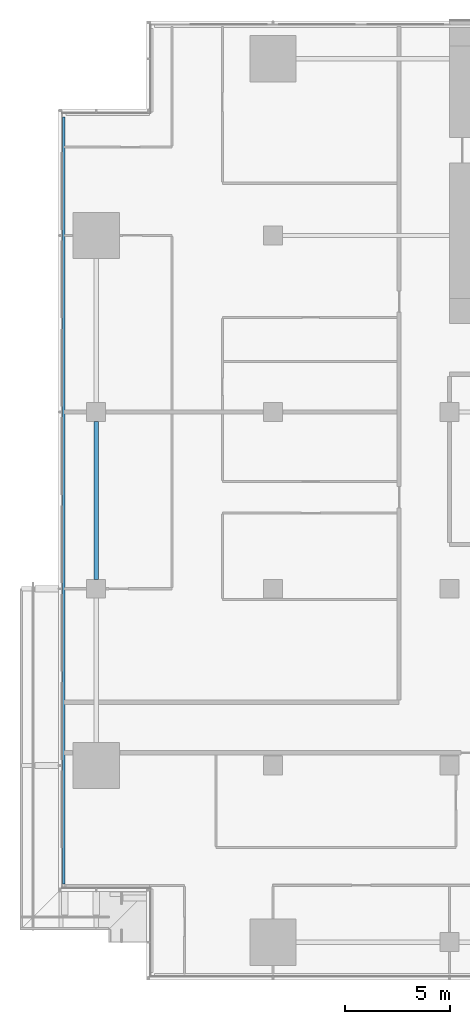
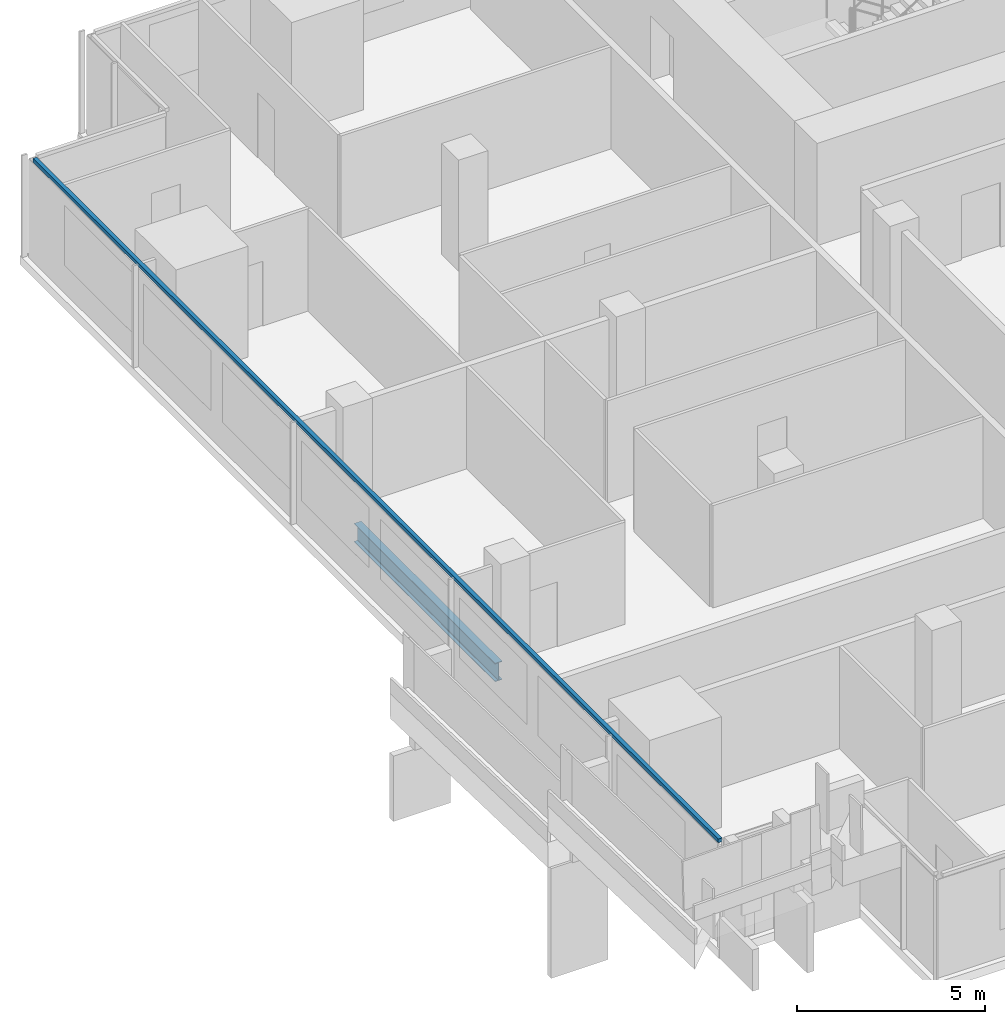
# One storey, part 3 of 27: 1 beam, 1 member, 1 element without a shape of its own.
"""IFC4 building model written with IfcOpenShell, lengths in metres."""

from ifc_helpers import new_model, si_unit, direction, frame, origin, origin_2d, place, context, subcontext, project, spatial, rectangle, i_section, extrude, material, material_profile, profile_set, type_object, element, aggregate, save


model = new_model("IFC4")

# Units and contexts
model_context = context("Model", 3, precision=1e-05, world=origin(), true_north=direction((0.0, 1.0)))
body_context = subcontext(model_context, "Body", "Model", "MODEL_VIEW")
ifc_project = project(units=[si_unit("LENGTHUNIT", "METRE"), si_unit("AREAUNIT", "SQUARE_METRE"), si_unit("VOLUMEUNIT", "CUBIC_METRE"), si_unit("PLANEANGLEUNIT", "RADIAN"), si_unit("MASSUNIT", "GRAM", prefix="KILO")], contexts=[model_context])

# Site, building, storey
site_placement = place(None, origin())
site = spatial("IfcSite", under=ifc_project, at=site_placement, CompositionType="ELEMENT")
building_placement = place(site_placement, origin())
building = spatial("IfcBuilding", under=site, at=building_placement, Name="Saffron Gate Tower", CompositionType="ELEMENT")
storey_placement = place(building_placement, frame((0.0, 0.0, 76.800048828125)))
storey = spatial("IfcBuildingStorey", under=building, at=storey_placement, Name="L18", CompositionType="ELEMENT", Elevation=76.800048828125)

# Beam
ifc_material_1 = material(Name="Structural steel S355", Category="steel")
ifc_material_profile_1 = material_profile(ifc_material_1, i_section(OverallWidth=0.219970703125, OverallDepth=0.60009765625, WebThickness=0.011962890625, FlangeThickness=0.01904296875, FilletRadius=0.02392578125, at=origin_2d()))
ifc_profile_set_1 = profile_set([ifc_material_profile_1], Name="Structural steel S355")
beam_type = type_object("IfcBeamType", Name="B16 IPE 600", PredefinedType="SPANDREL", material=ifc_profile_set_1)
beam_placement = place(storey_placement, frame((49.800048828125, 49.050048828125, -0.580078125), z_axis=(0.0, 1.0, 0.0), x_axis=(-1.0, 0.0, 0.0)))
element("IfcBeam", 1, at=beam_placement, inside=storey, type_object=beam_type, Name="B16 SPANDREL BEAM", PredefinedType="SPANDREL", context=body_context, shape_type="SweptSolid", body=[
    extrude(i_section(OverallWidth=0.219970703125, OverallDepth=0.60009765625, WebThickness=0.011962890625, FlangeThickness=0.01904296875, FilletRadius=0.02392578125, at=origin_2d()), origin(), (0.0, 0.0, 1.0), 7.5),
])

# Curtain wall, member
ifc_material_2 = material(Name="Aluminium, bronze anodised", Category="aluminium")
curtain_wall_type = type_object("IfcCurtainWallType", Name="CWS2 curtain wall side facades", PredefinedType="NOTDEFINED", material=ifc_material_2)
curtain_wall_placement = place(storey_placement, origin())
curtain_wall = element("IfcCurtainWall", 2, at=curtain_wall_placement, inside=storey, type_object=curtain_wall_type, Name="CWS2 run 10", PredefinedType="NOTDEFINED")
ifc_material_profile_2 = material_profile(ifc_material_2, rectangle(XDim=0.1201171875, YDim=0.1201171875, at=origin_2d()))
ifc_profile_set_2 = profile_set([ifc_material_profile_2], Name="Aluminium, bronze anodised")
member_type = type_object("IfcMemberType", Name="CWS2 head transom", PredefinedType="USERDEFINED", material=ifc_profile_set_2)
member_placement = place(storey_placement, frame((48.248046875, 71.031982421875, 3.260009765625), z_axis=(0.0, -1.0, 0.0), x_axis=(1.0, 0.0, 0.0)))
member = element("IfcMember", 3, at=member_placement, type_object=member_type, Name="CWS2 head transom", ObjectType="TRANSOM", PredefinedType="USERDEFINED", context=body_context, shape_type="SweptSolid", body=[
    extrude(rectangle(XDim=0.1201171875, YDim=0.1201171875, at=origin_2d()), origin(), (0.0, 0.0, 1.0), 36.4638671875),
])
aggregate(curtain_wall, [member])

save(model, "model.ifc")
